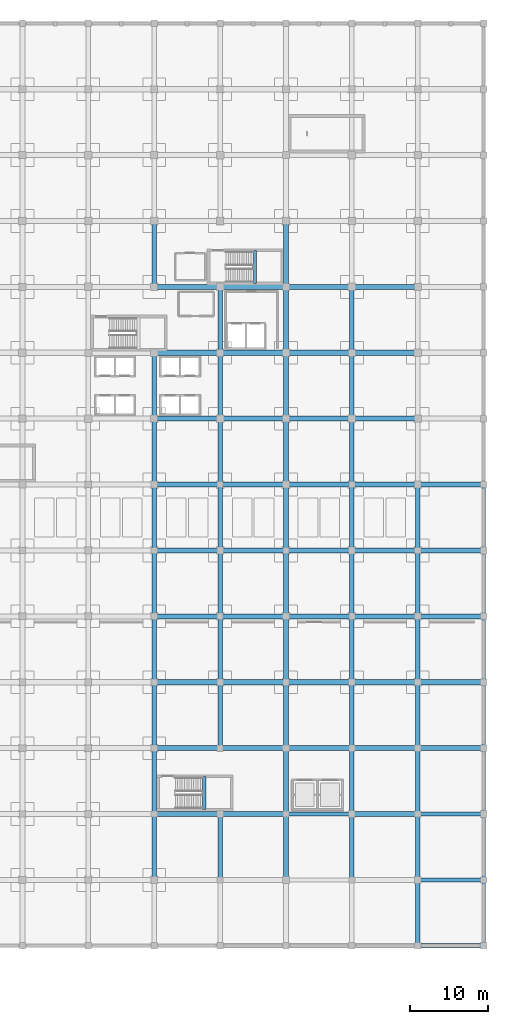
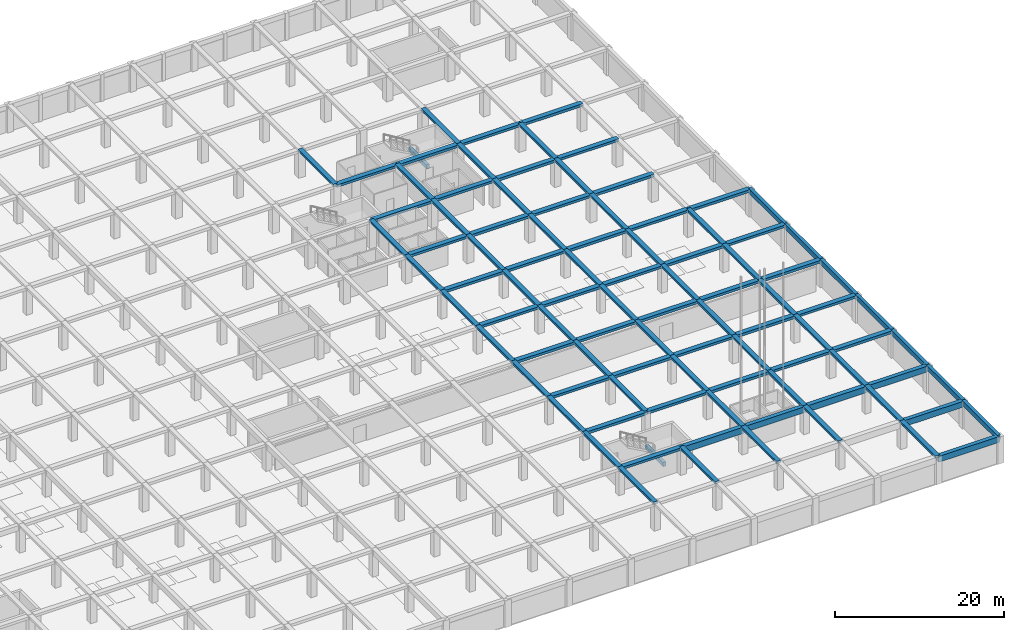
# One storey, part 8 of 32: 96 beams.
"""IFC4 building model written with IfcOpenShell, lengths in metres."""

from ifc_helpers import new_model, si_unit, direction, frame, origin, origin_2d, place, context, subcontext, project, spatial, rectangle, extrude, material, material_profile, profile_set, type_object, element, save


model = new_model("IFC4")

# Units and contexts
model_context = context("Model", 3, precision=1e-05, world=origin(), true_north=direction((0.0, 1.0)))
body_context = subcontext(model_context, "Body", "Model", "MODEL_VIEW")
ifc_project = project(units=[si_unit("LENGTHUNIT", "METRE"), si_unit("AREAUNIT", "SQUARE_METRE"), si_unit("VOLUMEUNIT", "CUBIC_METRE"), si_unit("PLANEANGLEUNIT", "RADIAN"), si_unit("MASSUNIT", "GRAM", prefix="KILO")], contexts=[model_context])

# Site, building, storey
site_placement = place(None, origin())
site = spatial("IfcSite", under=ifc_project, at=site_placement, CompositionType="ELEMENT")
building_placement = place(site_placement, origin())
building = spatial("IfcBuilding", under=site, at=building_placement, Name="Almacenes y Pasaje Nevantli", CompositionType="ELEMENT")
storey_placement = place(building_placement, frame((0.0, 0.0, -4.199951171875)))
storey = spatial("IfcBuildingStorey", under=building, at=storey_placement, Name="B01", CompositionType="ELEMENT", Elevation=-4.199951171875)

# Beams
ifc_material_1 = material(Name="Concrete C35/45", Category="concrete")
ifc_material_profile_1 = material_profile(ifc_material_1, rectangle(XDim=0.39990234375, YDim=0.60009765625, at=origin_2d()), Name="RC-BM-400x600")
ifc_profile_set_1 = profile_set([ifc_material_profile_1], Name="Concrete C35/45")
beam_type_1 = type_object("IfcBeamType", Name="BM-RC-400x600", PredefinedType="SPANDREL", material=ifc_profile_set_1)
beam_1_placement = place(storey_placement, frame((138.830078125, 84.449951171875, 1.599853515625), z_axis=(0.0, 1.0, 0.0), x_axis=(-1.0, 0.0, 0.0)))
element("IfcBeam", 1, at=beam_1_placement, inside=storey, type_object=beam_type_1, Name="B01 Stair ST-02 Half-Landing Support Beam", PredefinedType="SPANDREL", context=body_context, shape_type="SweptSolid", body=[
    extrude(rectangle(XDim=0.39990234375, YDim=0.60009765625, at=origin_2d()), origin(), (0.0, 0.0, 1.0), 4.18994140625),
])
beam_2_placement = place(storey_placement, frame((132.3798828125, 17.35009765625, 1.599853515625), z_axis=(0.0, 1.0, 0.0), x_axis=(-1.0, 0.0, 0.0)))
element("IfcBeam", 2, at=beam_2_placement, inside=storey, type_object=beam_type_1, Name="B01 Stair ST-06 Half-Landing Support Beam", PredefinedType="SPANDREL", context=body_context, shape_type="SweptSolid", body=[
    extrude(rectangle(XDim=0.39990234375, YDim=0.60009765625, at=origin_2d()), origin(), (0.0, 0.0, 1.0), 4.25),
])
ifc_material_2 = material(Name="Concrete C35/45", Category="concrete")
ifc_material_profile_2 = material_profile(ifc_material_2, rectangle(XDim=0.449951171875, YDim=0.699951171875, at=origin_2d()), Name="RC-BM-450x700")
ifc_profile_set_2 = profile_set([ifc_material_profile_2], Name="Concrete C35/45")
beam_type_2 = type_object("IfcBeamType", Name="BM-RC-450x700", PredefinedType="SPANDREL", material=ifc_profile_set_2)
beam_3_placement = place(storey_placement, frame((168.0, 0.0, 3.530029296875), z_axis=(0.0, 1.0, 0.0), x_axis=(-1.0, 0.0, 0.0)))
element("IfcBeam", 3, at=beam_3_placement, inside=storey, type_object=beam_type_2, Name="B01 North-South Reinforced Concrete Beam #1161", PredefinedType="SPANDREL", context=body_context, shape_type="SweptSolid", body=[
    extrude(rectangle(XDim=0.449951171875, YDim=0.699951171875, at=origin_2d()), origin(), (0.0, 0.0, 1.0), 8.39990234375),
])
beam_4_placement = place(storey_placement, frame((168.0, 8.39990234375, 3.530029296875), z_axis=(0.0, 1.0, 0.0), x_axis=(-1.0, 0.0, 0.0)))
element("IfcBeam", 4, at=beam_4_placement, inside=storey, type_object=beam_type_2, Name="B01 North-South Reinforced Concrete Beam #1162", PredefinedType="SPANDREL", context=body_context, shape_type="SweptSolid", body=[
    extrude(rectangle(XDim=0.449951171875, YDim=0.699951171875, at=origin_2d()), origin(), (0.0, 0.0, 1.0), 8.400146484375),
])
beam_5_placement = place(storey_placement, frame((168.0, 16.800048828125, 3.530029296875), z_axis=(0.0, 1.0, 0.0), x_axis=(-1.0, 0.0, 0.0)))
element("IfcBeam", 5, at=beam_5_placement, inside=storey, type_object=beam_type_2, Name="B01 North-South Reinforced Concrete Beam #1163", PredefinedType="SPANDREL", context=body_context, shape_type="SweptSolid", body=[
    extrude(rectangle(XDim=0.449951171875, YDim=0.699951171875, at=origin_2d()), origin(), (0.0, 0.0, 1.0), 8.39990234375),
])
beam_6_placement = place(storey_placement, frame((168.0, 25.199951171875, 3.530029296875), z_axis=(0.0, 1.0, 0.0), x_axis=(-1.0, 0.0, 0.0)))
element("IfcBeam", 6, at=beam_6_placement, inside=storey, type_object=beam_type_2, Name="B01 North-South Reinforced Concrete Beam #1164", PredefinedType="SPANDREL", context=body_context, shape_type="SweptSolid", body=[
    extrude(rectangle(XDim=0.449951171875, YDim=0.699951171875, at=origin_2d()), origin(), (0.0, 0.0, 1.0), 8.400146484375),
])
for number, where, z_axis, x_axis, name in (
    (7, (168.0, 33.60009765625, 3.530029296875), (0.0, 1.0, 0.0), (-1.0, 0.0, 0.0), "B01 North-South Reinforced Concrete Beam #1165"),
    (8, (168.0, 42.0, 3.530029296875), (0.0, 1.0, 0.0), (-1.0, 0.0, 0.0), "B01 North-South Reinforced Concrete Beam #1166"),
):
    element("IfcBeam", number, at=place(storey_placement, frame(where, z_axis=z_axis, x_axis=x_axis)), inside=storey, type_object=beam_type_2, Name=name, PredefinedType="SPANDREL", context=body_context, shape_type="SweptSolid", body=[
        extrude(rectangle(XDim=0.449951171875, YDim=0.699951171875, at=origin_2d()), origin(), (0.0, 0.0, 1.0), 8.39990234375),
    ])
beam_7_placement = place(storey_placement, frame((168.0, 50.39990234375, 3.530029296875), z_axis=(0.0, 1.0, 0.0), x_axis=(-1.0, 0.0, 0.0)))
element("IfcBeam", 9, at=beam_7_placement, inside=storey, type_object=beam_type_2, Name="B01 North-South Reinforced Concrete Beam #1167", PredefinedType="SPANDREL", context=body_context, shape_type="SweptSolid", body=[
    extrude(rectangle(XDim=0.449951171875, YDim=0.699951171875, at=origin_2d()), origin(), (0.0, 0.0, 1.0), 8.400146484375),
])
ifc_material_3 = material(Name="Concrete C35/45", Category="concrete")
ifc_material_profile_3 = material_profile(ifc_material_3, rectangle(XDim=0.550048828125, YDim=0.85009765625, at=origin_2d()), Name="RC-BM-550x850")
ifc_profile_set_3 = profile_set([ifc_material_profile_3], Name="Concrete C35/45")
beam_type_3 = type_object("IfcBeamType", Name="BM-RC-550x850", PredefinedType="BEAM", material=ifc_profile_set_3)
for number, where, z_axis, x_axis, name in (
    (10, (159.60009765625, 0.0, 3.454833984375), (1.0, 0.0, 0.0), (0.0, 1.0, 0.0), "B01 East-West Reinforced Concrete Beam #621"),
    (11, (159.60009765625, 8.39990234375, 3.454833984375), (1.0, 0.0, 0.0), (0.0, 1.0, 0.0), "B01 East-West Reinforced Concrete Beam #638"),
    (12, (142.800048828125, 16.800048828125, 3.454833984375), (1.0, 0.0, 0.0), (0.0, 1.0, 0.0), "B01 East-West Reinforced Concrete Beam #653"),
    (13, (159.60009765625, 16.800048828125, 3.454833984375), (1.0, 0.0, 0.0), (0.0, 1.0, 0.0), "B01 East-West Reinforced Concrete Beam #655"),
):
    element("IfcBeam", number, at=place(storey_placement, frame(where, z_axis=z_axis, x_axis=x_axis)), inside=storey, type_object=beam_type_3, Name=name, PredefinedType="BEAM", context=body_context, shape_type="SweptSolid", body=[
        extrude(rectangle(XDim=0.550048828125, YDim=0.85009765625, at=origin_2d()), origin(), (0.0, 0.0, 1.0), 8.39990234375),
    ])
ifc_material_4 = material(Name="Concrete C35/45", Category="concrete")
ifc_material_profile_4 = material_profile(ifc_material_4, rectangle(XDim=0.60009765625, YDim=0.320068359375, at=origin_2d()), Name="RC-BM-600x320")
ifc_profile_set_4 = profile_set([ifc_material_profile_4], Name="Concrete C35/45")
beam_type_4 = type_object("IfcBeamType", Name="BM-RC-600x320", PredefinedType="BEAM", material=ifc_profile_set_4)
for number, where, z_axis, x_axis, name in (
    (14, (126.0, 16.800048828125, 3.719970703125), (0.0, 1.0, 0.0), (-1.0, 0.0, 0.0), "B01 North-South Reinforced Concrete Beam #1096"),
    (15, (126.0, 33.60009765625, 3.719970703125), (0.0, 1.0, 0.0), (-1.0, 0.0, 0.0), "B01 North-South Reinforced Concrete Beam #1098"),
):
    element("IfcBeam", number, at=place(storey_placement, frame(where, z_axis=z_axis, x_axis=x_axis)), inside=storey, type_object=beam_type_4, Name=name, PredefinedType="BEAM", context=body_context, shape_type="SweptSolid", body=[
        extrude(rectangle(XDim=0.60009765625, YDim=0.320068359375, at=origin_2d()), origin(), (0.0, 0.0, 1.0), 8.39990234375),
    ])
for number, where, z_axis, x_axis, name in (
    (16, (126.0, 50.39990234375, 3.719970703125), (0.0, 1.0, 0.0), (-1.0, 0.0, 0.0), "B01 North-South Reinforced Concrete Beam #1100"),
    (17, (126.0, 67.199951171875, 3.719970703125), (0.0, 1.0, 0.0), (-1.0, 0.0, 0.0), "B01 North-South Reinforced Concrete Beam #1102"),
):
    element("IfcBeam", number, at=place(storey_placement, frame(where, z_axis=z_axis, x_axis=x_axis)), inside=storey, type_object=beam_type_4, Name=name, PredefinedType="BEAM", context=body_context, shape_type="SweptSolid", body=[
        extrude(rectangle(XDim=0.60009765625, YDim=0.320068359375, at=origin_2d()), origin(), (0.0, 0.0, 1.0), 8.400146484375),
    ])
beam_8_placement = place(storey_placement, frame((126.0, 84.0, 3.719970703125), z_axis=(0.0, 1.0, 0.0), x_axis=(-1.0, 0.0, 0.0)))
element("IfcBeam", 18, at=beam_8_placement, inside=storey, type_object=beam_type_4, Name="B01 North-South Reinforced Concrete Beam #1103", PredefinedType="BEAM", context=body_context, shape_type="SweptSolid", body=[
    extrude(rectangle(XDim=0.60009765625, YDim=0.320068359375, at=origin_2d()), origin(), (0.0, 0.0, 1.0), 8.39990234375),
])
for number, where, z_axis, x_axis, name in (
    (19, (134.39990234375, 8.39990234375, 3.719970703125), (0.0, 1.0, 0.0), (-1.0, 0.0, 0.0), "B01 North-South Reinforced Concrete Beam #1108"),
    (20, (134.39990234375, 25.199951171875, 3.719970703125), (0.0, 1.0, 0.0), (-1.0, 0.0, 0.0), "B01 North-South Reinforced Concrete Beam #1109"),
):
    element("IfcBeam", number, at=place(storey_placement, frame(where, z_axis=z_axis, x_axis=x_axis)), inside=storey, type_object=beam_type_4, Name=name, PredefinedType="BEAM", context=body_context, shape_type="SweptSolid", body=[
        extrude(rectangle(XDim=0.60009765625, YDim=0.320068359375, at=origin_2d()), origin(), (0.0, 0.0, 1.0), 8.400146484375),
    ])
for number, where, z_axis, x_axis, name in (
    (21, (134.39990234375, 42.0, 3.719970703125), (0.0, 1.0, 0.0), (-1.0, 0.0, 0.0), "B01 North-South Reinforced Concrete Beam #1111"),
    (22, (134.39990234375, 58.800048828125, 3.719970703125), (0.0, 1.0, 0.0), (-1.0, 0.0, 0.0), "B01 North-South Reinforced Concrete Beam #1113"),
    (23, (134.39990234375, 75.60009765625, 3.719970703125), (0.0, 1.0, 0.0), (-1.0, 0.0, 0.0), "B01 North-South Reinforced Concrete Beam #1115"),
    (24, (142.800048828125, 16.800048828125, 3.719970703125), (0.0, 1.0, 0.0), (-1.0, 0.0, 0.0), "B01 North-South Reinforced Concrete Beam #1121"),
    (25, (142.800048828125, 33.60009765625, 3.719970703125), (0.0, 1.0, 0.0), (-1.0, 0.0, 0.0), "B01 North-South Reinforced Concrete Beam #1123"),
):
    element("IfcBeam", number, at=place(storey_placement, frame(where, z_axis=z_axis, x_axis=x_axis)), inside=storey, type_object=beam_type_4, Name=name, PredefinedType="BEAM", context=body_context, shape_type="SweptSolid", body=[
        extrude(rectangle(XDim=0.60009765625, YDim=0.320068359375, at=origin_2d()), origin(), (0.0, 0.0, 1.0), 8.39990234375),
    ])
for number, where, z_axis, x_axis, name in (
    (26, (142.800048828125, 50.39990234375, 3.719970703125), (0.0, 1.0, 0.0), (-1.0, 0.0, 0.0), "B01 North-South Reinforced Concrete Beam #1125"),
    (27, (142.800048828125, 67.199951171875, 3.719970703125), (0.0, 1.0, 0.0), (-1.0, 0.0, 0.0), "B01 North-South Reinforced Concrete Beam #1127"),
):
    element("IfcBeam", number, at=place(storey_placement, frame(where, z_axis=z_axis, x_axis=x_axis)), inside=storey, type_object=beam_type_4, Name=name, PredefinedType="BEAM", context=body_context, shape_type="SweptSolid", body=[
        extrude(rectangle(XDim=0.60009765625, YDim=0.320068359375, at=origin_2d()), origin(), (0.0, 0.0, 1.0), 8.400146484375),
    ])
beam_9_placement = place(storey_placement, frame((142.800048828125, 84.0, 3.719970703125), z_axis=(0.0, 1.0, 0.0), x_axis=(-1.0, 0.0, 0.0)))
element("IfcBeam", 28, at=beam_9_placement, inside=storey, type_object=beam_type_4, Name="B01 North-South Reinforced Concrete Beam #1129", PredefinedType="BEAM", context=body_context, shape_type="SweptSolid", body=[
    extrude(rectangle(XDim=0.60009765625, YDim=0.320068359375, at=origin_2d()), origin(), (0.0, 0.0, 1.0), 8.39990234375),
])
for number, where, z_axis, x_axis, name in (
    (29, (151.199951171875, 8.39990234375, 3.719970703125), (0.0, 1.0, 0.0), (-1.0, 0.0, 0.0), "B01 North-South Reinforced Concrete Beam #1134"),
    (30, (151.199951171875, 25.199951171875, 3.719970703125), (0.0, 1.0, 0.0), (-1.0, 0.0, 0.0), "B01 North-South Reinforced Concrete Beam #1136"),
):
    element("IfcBeam", number, at=place(storey_placement, frame(where, z_axis=z_axis, x_axis=x_axis)), inside=storey, type_object=beam_type_4, Name=name, PredefinedType="BEAM", context=body_context, shape_type="SweptSolid", body=[
        extrude(rectangle(XDim=0.60009765625, YDim=0.320068359375, at=origin_2d()), origin(), (0.0, 0.0, 1.0), 8.400146484375),
    ])
for number, where, z_axis, x_axis, name in (
    (31, (151.199951171875, 42.0, 3.719970703125), (0.0, 1.0, 0.0), (-1.0, 0.0, 0.0), "B01 North-South Reinforced Concrete Beam #1138"),
    (32, (151.199951171875, 58.800048828125, 3.719970703125), (0.0, 1.0, 0.0), (-1.0, 0.0, 0.0), "B01 North-South Reinforced Concrete Beam #1140"),
    (33, (151.199951171875, 75.60009765625, 3.719970703125), (0.0, 1.0, 0.0), (-1.0, 0.0, 0.0), "B01 North-South Reinforced Concrete Beam #1142"),
    (34, (159.60009765625, 0.0, 3.719970703125), (0.0, 1.0, 0.0), (-1.0, 0.0, 0.0), "B01 North-South Reinforced Concrete Beam #1147"),
    (35, (159.60009765625, 16.800048828125, 3.719970703125), (0.0, 1.0, 0.0), (-1.0, 0.0, 0.0), "B01 North-South Reinforced Concrete Beam #1149"),
    (36, (159.60009765625, 33.60009765625, 3.719970703125), (0.0, 1.0, 0.0), (-1.0, 0.0, 0.0), "B01 North-South Reinforced Concrete Beam #1151"),
):
    element("IfcBeam", number, at=place(storey_placement, frame(where, z_axis=z_axis, x_axis=x_axis)), inside=storey, type_object=beam_type_4, Name=name, PredefinedType="BEAM", context=body_context, shape_type="SweptSolid", body=[
        extrude(rectangle(XDim=0.60009765625, YDim=0.320068359375, at=origin_2d()), origin(), (0.0, 0.0, 1.0), 8.39990234375),
    ])
beam_10_placement = place(storey_placement, frame((159.60009765625, 50.39990234375, 3.719970703125), z_axis=(0.0, 1.0, 0.0), x_axis=(-1.0, 0.0, 0.0)))
element("IfcBeam", 37, at=beam_10_placement, inside=storey, type_object=beam_type_4, Name="B01 North-South Reinforced Concrete Beam #1153", PredefinedType="BEAM", context=body_context, shape_type="SweptSolid", body=[
    extrude(rectangle(XDim=0.60009765625, YDim=0.320068359375, at=origin_2d()), origin(), (0.0, 0.0, 1.0), 8.400146484375),
])
ifc_material_5 = material(Name="Concrete C35/45", Category="concrete")
ifc_material_profile_5 = material_profile(ifc_material_5, rectangle(XDim=0.60009765625, YDim=0.340087890625, at=origin_2d()), Name="RC-BM-600x340")
ifc_profile_set_5 = profile_set([ifc_material_profile_5], Name="Concrete C35/45")
beam_type_5 = type_object("IfcBeamType", Name="BM-RC-600x340", PredefinedType="BEAM", material=ifc_profile_set_5)
for number, where, z_axis, x_axis, name in (
    (38, (126.0, 8.39990234375, 3.7099609375), (0.0, 1.0, 0.0), (-1.0, 0.0, 0.0), "B01 North-South Reinforced Concrete Beam #1095"),
    (39, (126.0, 25.199951171875, 3.7099609375), (0.0, 1.0, 0.0), (-1.0, 0.0, 0.0), "B01 North-South Reinforced Concrete Beam #1097"),
):
    element("IfcBeam", number, at=place(storey_placement, frame(where, z_axis=z_axis, x_axis=x_axis)), inside=storey, type_object=beam_type_5, Name=name, PredefinedType="BEAM", context=body_context, shape_type="SweptSolid", body=[
        extrude(rectangle(XDim=0.60009765625, YDim=0.340087890625, at=origin_2d()), origin(), (0.0, 0.0, 1.0), 8.400146484375),
    ])
for number, where, z_axis, x_axis, name in (
    (40, (126.0, 42.0, 3.7099609375), (0.0, 1.0, 0.0), (-1.0, 0.0, 0.0), "B01 North-South Reinforced Concrete Beam #1099"),
    (41, (126.0, 58.800048828125, 3.7099609375), (0.0, 1.0, 0.0), (-1.0, 0.0, 0.0), "B01 North-South Reinforced Concrete Beam #1101"),
    (42, (134.39990234375, 33.60009765625, 3.7099609375), (0.0, 1.0, 0.0), (-1.0, 0.0, 0.0), "B01 North-South Reinforced Concrete Beam #1110"),
):
    element("IfcBeam", number, at=place(storey_placement, frame(where, z_axis=z_axis, x_axis=x_axis)), inside=storey, type_object=beam_type_5, Name=name, PredefinedType="BEAM", context=body_context, shape_type="SweptSolid", body=[
        extrude(rectangle(XDim=0.60009765625, YDim=0.340087890625, at=origin_2d()), origin(), (0.0, 0.0, 1.0), 8.39990234375),
    ])
for number, where, z_axis, x_axis, name in (
    (43, (134.39990234375, 50.39990234375, 3.7099609375), (0.0, 1.0, 0.0), (-1.0, 0.0, 0.0), "B01 North-South Reinforced Concrete Beam #1112"),
    (44, (134.39990234375, 67.199951171875, 3.7099609375), (0.0, 1.0, 0.0), (-1.0, 0.0, 0.0), "B01 North-South Reinforced Concrete Beam #1114"),
    (45, (142.800048828125, 8.39990234375, 3.7099609375), (0.0, 1.0, 0.0), (-1.0, 0.0, 0.0), "B01 North-South Reinforced Concrete Beam #1120"),
    (46, (142.800048828125, 25.199951171875, 3.7099609375), (0.0, 1.0, 0.0), (-1.0, 0.0, 0.0), "B01 North-South Reinforced Concrete Beam #1122"),
):
    element("IfcBeam", number, at=place(storey_placement, frame(where, z_axis=z_axis, x_axis=x_axis)), inside=storey, type_object=beam_type_5, Name=name, PredefinedType="BEAM", context=body_context, shape_type="SweptSolid", body=[
        extrude(rectangle(XDim=0.60009765625, YDim=0.340087890625, at=origin_2d()), origin(), (0.0, 0.0, 1.0), 8.400146484375),
    ])
for number, where, z_axis, x_axis, name in (
    (47, (142.800048828125, 42.0, 3.7099609375), (0.0, 1.0, 0.0), (-1.0, 0.0, 0.0), "B01 North-South Reinforced Concrete Beam #1124"),
    (48, (142.800048828125, 58.800048828125, 3.7099609375), (0.0, 1.0, 0.0), (-1.0, 0.0, 0.0), "B01 North-South Reinforced Concrete Beam #1126"),
    (49, (142.800048828125, 75.60009765625, 3.7099609375), (0.0, 1.0, 0.0), (-1.0, 0.0, 0.0), "B01 North-South Reinforced Concrete Beam #1128"),
    (50, (151.199951171875, 16.800048828125, 3.7099609375), (0.0, 1.0, 0.0), (-1.0, 0.0, 0.0), "B01 North-South Reinforced Concrete Beam #1135"),
    (51, (151.199951171875, 33.60009765625, 3.7099609375), (0.0, 1.0, 0.0), (-1.0, 0.0, 0.0), "B01 North-South Reinforced Concrete Beam #1137"),
):
    element("IfcBeam", number, at=place(storey_placement, frame(where, z_axis=z_axis, x_axis=x_axis)), inside=storey, type_object=beam_type_5, Name=name, PredefinedType="BEAM", context=body_context, shape_type="SweptSolid", body=[
        extrude(rectangle(XDim=0.60009765625, YDim=0.340087890625, at=origin_2d()), origin(), (0.0, 0.0, 1.0), 8.39990234375),
    ])
for number, where, z_axis, x_axis, name in (
    (52, (151.199951171875, 50.39990234375, 3.7099609375), (0.0, 1.0, 0.0), (-1.0, 0.0, 0.0), "B01 North-South Reinforced Concrete Beam #1139"),
    (53, (151.199951171875, 67.199951171875, 3.7099609375), (0.0, 1.0, 0.0), (-1.0, 0.0, 0.0), "B01 North-South Reinforced Concrete Beam #1141"),
    (54, (159.60009765625, 8.39990234375, 3.7099609375), (0.0, 1.0, 0.0), (-1.0, 0.0, 0.0), "B01 North-South Reinforced Concrete Beam #1148"),
    (55, (159.60009765625, 25.199951171875, 3.7099609375), (0.0, 1.0, 0.0), (-1.0, 0.0, 0.0), "B01 North-South Reinforced Concrete Beam #1150"),
):
    element("IfcBeam", number, at=place(storey_placement, frame(where, z_axis=z_axis, x_axis=x_axis)), inside=storey, type_object=beam_type_5, Name=name, PredefinedType="BEAM", context=body_context, shape_type="SweptSolid", body=[
        extrude(rectangle(XDim=0.60009765625, YDim=0.340087890625, at=origin_2d()), origin(), (0.0, 0.0, 1.0), 8.400146484375),
    ])
beam_11_placement = place(storey_placement, frame((159.60009765625, 42.0, 3.7099609375), z_axis=(0.0, 1.0, 0.0), x_axis=(-1.0, 0.0, 0.0)))
element("IfcBeam", 56, at=beam_11_placement, inside=storey, type_object=beam_type_5, Name="B01 North-South Reinforced Concrete Beam #1152", PredefinedType="BEAM", context=body_context, shape_type="SweptSolid", body=[
    extrude(rectangle(XDim=0.60009765625, YDim=0.340087890625, at=origin_2d()), origin(), (0.0, 0.0, 1.0), 8.39990234375),
])
ifc_material_6 = material(Name="Concrete C35/45", Category="concrete")
ifc_material_profile_6 = material_profile(ifc_material_6, rectangle(XDim=0.60009765625, YDim=0.89990234375, at=origin_2d()), Name="RC-BM-600x900")
ifc_profile_set_6 = profile_set([ifc_material_profile_6], Name="Concrete C35/45")
beam_type_6 = type_object("IfcBeamType", Name="BM-RC-600x900", PredefinedType="BEAM", material=ifc_profile_set_6)
for number, where, z_axis, x_axis, name in (
    (57, (134.39990234375, 16.800048828125, 3.429931640625), (1.0, 0.0, 0.0), (0.0, 1.0, 0.0), "B01 East-West Reinforced Concrete Beam #652"),
    (58, (151.199951171875, 16.800048828125, 3.429931640625), (1.0, 0.0, 0.0), (0.0, 1.0, 0.0), "B01 East-West Reinforced Concrete Beam #654"),
):
    element("IfcBeam", number, at=place(storey_placement, frame(where, z_axis=z_axis, x_axis=x_axis)), inside=storey, type_object=beam_type_6, Name=name, PredefinedType="BEAM", context=body_context, shape_type="SweptSolid", body=[
        extrude(rectangle(XDim=0.60009765625, YDim=0.89990234375, at=origin_2d()), origin(), (0.0, 0.0, 1.0), 8.400146484375),
    ])
ifc_material_7 = material(Name="Concrete C35/45", Category="concrete")
ifc_material_profile_7 = material_profile(ifc_material_7, rectangle(XDim=0.64990234375, YDim=0.35009765625, at=origin_2d()), Name="RC-BM-650x350")
ifc_profile_set_7 = profile_set([ifc_material_profile_7], Name="Concrete C35/45")
beam_type_7 = type_object("IfcBeamType", Name="BM-RC-650x350", PredefinedType="BEAM", material=ifc_profile_set_7)
beam_12_placement = place(storey_placement, frame((126.0, 16.800048828125, 3.704833984375), z_axis=(1.0, 0.0, 0.0), x_axis=(0.0, 1.0, 0.0)))
element("IfcBeam", 59, at=beam_12_placement, inside=storey, type_object=beam_type_7, Name="B01 East-West Reinforced Concrete Beam #651", PredefinedType="BEAM", context=body_context, shape_type="SweptSolid", body=[
    extrude(rectangle(XDim=0.64990234375, YDim=0.35009765625, at=origin_2d()), origin(), (0.0, 0.0, 1.0), 8.39990234375),
])
for number, where, z_axis, x_axis, name in (
    (60, (134.39990234375, 25.199951171875, 3.704833984375), (1.0, 0.0, 0.0), (0.0, 1.0, 0.0), "B01 East-West Reinforced Concrete Beam #672"),
    (61, (151.199951171875, 25.199951171875, 3.704833984375), (1.0, 0.0, 0.0), (0.0, 1.0, 0.0), "B01 East-West Reinforced Concrete Beam #674"),
):
    element("IfcBeam", number, at=place(storey_placement, frame(where, z_axis=z_axis, x_axis=x_axis)), inside=storey, type_object=beam_type_7, Name=name, PredefinedType="BEAM", context=body_context, shape_type="SweptSolid", body=[
        extrude(rectangle(XDim=0.64990234375, YDim=0.35009765625, at=origin_2d()), origin(), (0.0, 0.0, 1.0), 8.400146484375),
    ])
for number, where, z_axis, x_axis, name in (
    (62, (126.0, 33.60009765625, 3.704833984375), (1.0, 0.0, 0.0), (0.0, 1.0, 0.0), "B01 East-West Reinforced Concrete Beam #691"),
    (63, (142.800048828125, 33.60009765625, 3.704833984375), (1.0, 0.0, 0.0), (0.0, 1.0, 0.0), "B01 East-West Reinforced Concrete Beam #693"),
    (64, (159.60009765625, 33.60009765625, 3.704833984375), (1.0, 0.0, 0.0), (0.0, 1.0, 0.0), "B01 East-West Reinforced Concrete Beam #695"),
):
    element("IfcBeam", number, at=place(storey_placement, frame(where, z_axis=z_axis, x_axis=x_axis)), inside=storey, type_object=beam_type_7, Name=name, PredefinedType="BEAM", context=body_context, shape_type="SweptSolid", body=[
        extrude(rectangle(XDim=0.64990234375, YDim=0.35009765625, at=origin_2d()), origin(), (0.0, 0.0, 1.0), 8.39990234375),
    ])
for number, where, z_axis, x_axis, name in (
    (65, (134.39990234375, 42.0, 3.704833984375), (1.0, 0.0, 0.0), (0.0, 1.0, 0.0), "B01 East-West Reinforced Concrete Beam #712"),
    (66, (151.199951171875, 42.0, 3.704833984375), (1.0, 0.0, 0.0), (0.0, 1.0, 0.0), "B01 East-West Reinforced Concrete Beam #714"),
):
    element("IfcBeam", number, at=place(storey_placement, frame(where, z_axis=z_axis, x_axis=x_axis)), inside=storey, type_object=beam_type_7, Name=name, PredefinedType="BEAM", context=body_context, shape_type="SweptSolid", body=[
        extrude(rectangle(XDim=0.64990234375, YDim=0.35009765625, at=origin_2d()), origin(), (0.0, 0.0, 1.0), 8.400146484375),
    ])
for number, where, z_axis, x_axis, name in (
    (67, (126.0, 50.39990234375, 3.704833984375), (1.0, 0.0, 0.0), (0.0, 1.0, 0.0), "B01 East-West Reinforced Concrete Beam #731"),
    (68, (142.800048828125, 50.39990234375, 3.704833984375), (1.0, 0.0, 0.0), (0.0, 1.0, 0.0), "B01 East-West Reinforced Concrete Beam #733"),
    (69, (159.60009765625, 50.39990234375, 3.704833984375), (1.0, 0.0, 0.0), (0.0, 1.0, 0.0), "B01 East-West Reinforced Concrete Beam #735"),
):
    element("IfcBeam", number, at=place(storey_placement, frame(where, z_axis=z_axis, x_axis=x_axis)), inside=storey, type_object=beam_type_7, Name=name, PredefinedType="BEAM", context=body_context, shape_type="SweptSolid", body=[
        extrude(rectangle(XDim=0.64990234375, YDim=0.35009765625, at=origin_2d()), origin(), (0.0, 0.0, 1.0), 8.39990234375),
    ])
for number, where, z_axis, x_axis, name in (
    (70, (134.39990234375, 58.800048828125, 3.704833984375), (1.0, 0.0, 0.0), (0.0, 1.0, 0.0), "B01 East-West Reinforced Concrete Beam #752"),
    (71, (151.199951171875, 58.800048828125, 3.704833984375), (1.0, 0.0, 0.0), (0.0, 1.0, 0.0), "B01 East-West Reinforced Concrete Beam #754"),
):
    element("IfcBeam", number, at=place(storey_placement, frame(where, z_axis=z_axis, x_axis=x_axis)), inside=storey, type_object=beam_type_7, Name=name, PredefinedType="BEAM", context=body_context, shape_type="SweptSolid", body=[
        extrude(rectangle(XDim=0.64990234375, YDim=0.35009765625, at=origin_2d()), origin(), (0.0, 0.0, 1.0), 8.400146484375),
    ])
for number, where, z_axis, x_axis, name in (
    (72, (126.0, 67.199951171875, 3.704833984375), (1.0, 0.0, 0.0), (0.0, 1.0, 0.0), "B01 East-West Reinforced Concrete Beam #771"),
    (73, (142.800048828125, 67.199951171875, 3.704833984375), (1.0, 0.0, 0.0), (0.0, 1.0, 0.0), "B01 East-West Reinforced Concrete Beam #773"),
):
    element("IfcBeam", number, at=place(storey_placement, frame(where, z_axis=z_axis, x_axis=x_axis)), inside=storey, type_object=beam_type_7, Name=name, PredefinedType="BEAM", context=body_context, shape_type="SweptSolid", body=[
        extrude(rectangle(XDim=0.64990234375, YDim=0.35009765625, at=origin_2d()), origin(), (0.0, 0.0, 1.0), 8.39990234375),
    ])
for number, where, z_axis, x_axis, name in (
    (74, (134.39990234375, 75.60009765625, 3.704833984375), (1.0, 0.0, 0.0), (0.0, 1.0, 0.0), "B01 East-West Reinforced Concrete Beam #792"),
    (75, (151.199951171875, 75.60009765625, 3.704833984375), (1.0, 0.0, 0.0), (0.0, 1.0, 0.0), "B01 East-West Reinforced Concrete Beam #794"),
):
    element("IfcBeam", number, at=place(storey_placement, frame(where, z_axis=z_axis, x_axis=x_axis)), inside=storey, type_object=beam_type_7, Name=name, PredefinedType="BEAM", context=body_context, shape_type="SweptSolid", body=[
        extrude(rectangle(XDim=0.64990234375, YDim=0.35009765625, at=origin_2d()), origin(), (0.0, 0.0, 1.0), 8.400146484375),
    ])
for number, where, z_axis, x_axis, name in (
    (76, (126.0, 84.0, 3.704833984375), (1.0, 0.0, 0.0), (0.0, 1.0, 0.0), "B01 East-West Reinforced Concrete Beam #811"),
    (77, (142.800048828125, 84.0, 3.704833984375), (1.0, 0.0, 0.0), (0.0, 1.0, 0.0), "B01 East-West Reinforced Concrete Beam #813"),
):
    element("IfcBeam", number, at=place(storey_placement, frame(where, z_axis=z_axis, x_axis=x_axis)), inside=storey, type_object=beam_type_7, Name=name, PredefinedType="BEAM", context=body_context, shape_type="SweptSolid", body=[
        extrude(rectangle(XDim=0.64990234375, YDim=0.35009765625, at=origin_2d()), origin(), (0.0, 0.0, 1.0), 8.39990234375),
    ])
ifc_material_8 = material(Name="Concrete C35/45", Category="concrete")
ifc_material_profile_8 = material_profile(ifc_material_8, rectangle(XDim=0.64990234375, YDim=0.3798828125, at=origin_2d()), Name="RC-BM-650x380")
ifc_profile_set_8 = profile_set([ifc_material_profile_8], Name="Concrete C35/45")
beam_type_8 = type_object("IfcBeamType", Name="BM-RC-650x380", PredefinedType="BEAM", material=ifc_profile_set_8)
for number, where, z_axis, x_axis, name in (
    (78, (126.0, 25.199951171875, 3.68994140625), (1.0, 0.0, 0.0), (0.0, 1.0, 0.0), "B01 East-West Reinforced Concrete Beam #671"),
    (79, (142.800048828125, 25.199951171875, 3.68994140625), (1.0, 0.0, 0.0), (0.0, 1.0, 0.0), "B01 East-West Reinforced Concrete Beam #673"),
    (80, (159.60009765625, 25.199951171875, 3.68994140625), (1.0, 0.0, 0.0), (0.0, 1.0, 0.0), "B01 East-West Reinforced Concrete Beam #675"),
):
    element("IfcBeam", number, at=place(storey_placement, frame(where, z_axis=z_axis, x_axis=x_axis)), inside=storey, type_object=beam_type_8, Name=name, PredefinedType="BEAM", context=body_context, shape_type="SweptSolid", body=[
        extrude(rectangle(XDim=0.64990234375, YDim=0.3798828125, at=origin_2d()), origin(), (0.0, 0.0, 1.0), 8.39990234375),
    ])
for number, where, z_axis, x_axis, name in (
    (81, (134.39990234375, 33.60009765625, 3.68994140625), (1.0, 0.0, 0.0), (0.0, 1.0, 0.0), "B01 East-West Reinforced Concrete Beam #692"),
    (82, (151.199951171875, 33.60009765625, 3.68994140625), (1.0, 0.0, 0.0), (0.0, 1.0, 0.0), "B01 East-West Reinforced Concrete Beam #694"),
):
    element("IfcBeam", number, at=place(storey_placement, frame(where, z_axis=z_axis, x_axis=x_axis)), inside=storey, type_object=beam_type_8, Name=name, PredefinedType="BEAM", context=body_context, shape_type="SweptSolid", body=[
        extrude(rectangle(XDim=0.64990234375, YDim=0.3798828125, at=origin_2d()), origin(), (0.0, 0.0, 1.0), 8.400146484375),
    ])
for number, where, z_axis, x_axis, name in (
    (83, (126.0, 42.0, 3.68994140625), (1.0, 0.0, 0.0), (0.0, 1.0, 0.0), "B01 East-West Reinforced Concrete Beam #711"),
    (84, (142.800048828125, 42.0, 3.68994140625), (1.0, 0.0, 0.0), (0.0, 1.0, 0.0), "B01 East-West Reinforced Concrete Beam #713"),
    (85, (159.60009765625, 42.0, 3.68994140625), (1.0, 0.0, 0.0), (0.0, 1.0, 0.0), "B01 East-West Reinforced Concrete Beam #715"),
):
    element("IfcBeam", number, at=place(storey_placement, frame(where, z_axis=z_axis, x_axis=x_axis)), inside=storey, type_object=beam_type_8, Name=name, PredefinedType="BEAM", context=body_context, shape_type="SweptSolid", body=[
        extrude(rectangle(XDim=0.64990234375, YDim=0.3798828125, at=origin_2d()), origin(), (0.0, 0.0, 1.0), 8.39990234375),
    ])
for number, where, z_axis, x_axis, name in (
    (86, (134.39990234375, 50.39990234375, 3.68994140625), (1.0, 0.0, 0.0), (0.0, 1.0, 0.0), "B01 East-West Reinforced Concrete Beam #732"),
    (87, (151.199951171875, 50.39990234375, 3.68994140625), (1.0, 0.0, 0.0), (0.0, 1.0, 0.0), "B01 East-West Reinforced Concrete Beam #734"),
):
    element("IfcBeam", number, at=place(storey_placement, frame(where, z_axis=z_axis, x_axis=x_axis)), inside=storey, type_object=beam_type_8, Name=name, PredefinedType="BEAM", context=body_context, shape_type="SweptSolid", body=[
        extrude(rectangle(XDim=0.64990234375, YDim=0.3798828125, at=origin_2d()), origin(), (0.0, 0.0, 1.0), 8.400146484375),
    ])
for number, where, z_axis, x_axis, name in (
    (88, (126.0, 58.800048828125, 3.68994140625), (1.0, 0.0, 0.0), (0.0, 1.0, 0.0), "B01 East-West Reinforced Concrete Beam #751"),
    (89, (142.800048828125, 58.800048828125, 3.68994140625), (1.0, 0.0, 0.0), (0.0, 1.0, 0.0), "B01 East-West Reinforced Concrete Beam #753"),
    (90, (159.60009765625, 58.800048828125, 3.68994140625), (1.0, 0.0, 0.0), (0.0, 1.0, 0.0), "B01 East-West Reinforced Concrete Beam #755"),
):
    element("IfcBeam", number, at=place(storey_placement, frame(where, z_axis=z_axis, x_axis=x_axis)), inside=storey, type_object=beam_type_8, Name=name, PredefinedType="BEAM", context=body_context, shape_type="SweptSolid", body=[
        extrude(rectangle(XDim=0.64990234375, YDim=0.3798828125, at=origin_2d()), origin(), (0.0, 0.0, 1.0), 8.39990234375),
    ])
for number, where, z_axis, x_axis, name in (
    (91, (134.39990234375, 67.199951171875, 3.68994140625), (1.0, 0.0, 0.0), (0.0, 1.0, 0.0), "B01 East-West Reinforced Concrete Beam #772"),
    (92, (151.199951171875, 67.199951171875, 3.68994140625), (1.0, 0.0, 0.0), (0.0, 1.0, 0.0), "B01 East-West Reinforced Concrete Beam #774"),
):
    element("IfcBeam", number, at=place(storey_placement, frame(where, z_axis=z_axis, x_axis=x_axis)), inside=storey, type_object=beam_type_8, Name=name, PredefinedType="BEAM", context=body_context, shape_type="SweptSolid", body=[
        extrude(rectangle(XDim=0.64990234375, YDim=0.3798828125, at=origin_2d()), origin(), (0.0, 0.0, 1.0), 8.400146484375),
    ])
for number, where, z_axis, x_axis, name in (
    (93, (126.0, 75.60009765625, 3.68994140625), (1.0, 0.0, 0.0), (0.0, 1.0, 0.0), "B01 East-West Reinforced Concrete Beam #791"),
    (94, (142.800048828125, 75.60009765625, 3.68994140625), (1.0, 0.0, 0.0), (0.0, 1.0, 0.0), "B01 East-West Reinforced Concrete Beam #793"),
):
    element("IfcBeam", number, at=place(storey_placement, frame(where, z_axis=z_axis, x_axis=x_axis)), inside=storey, type_object=beam_type_8, Name=name, PredefinedType="BEAM", context=body_context, shape_type="SweptSolid", body=[
        extrude(rectangle(XDim=0.64990234375, YDim=0.3798828125, at=origin_2d()), origin(), (0.0, 0.0, 1.0), 8.39990234375),
    ])
for number, where, z_axis, x_axis, name in (
    (95, (134.39990234375, 84.0, 3.68994140625), (1.0, 0.0, 0.0), (0.0, 1.0, 0.0), "B01 East-West Reinforced Concrete Beam #812"),
    (96, (151.199951171875, 84.0, 3.68994140625), (1.0, 0.0, 0.0), (0.0, 1.0, 0.0), "B01 East-West Reinforced Concrete Beam #814"),
):
    element("IfcBeam", number, at=place(storey_placement, frame(where, z_axis=z_axis, x_axis=x_axis)), inside=storey, type_object=beam_type_8, Name=name, PredefinedType="BEAM", context=body_context, shape_type="SweptSolid", body=[
        extrude(rectangle(XDim=0.64990234375, YDim=0.3798828125, at=origin_2d()), origin(), (0.0, 0.0, 1.0), 8.400146484375),
    ])

save(model, "model.ifc")
